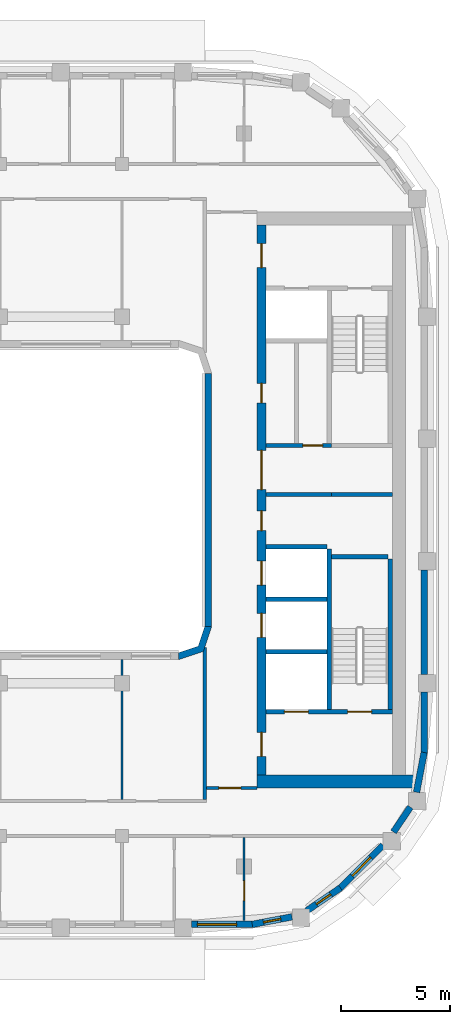
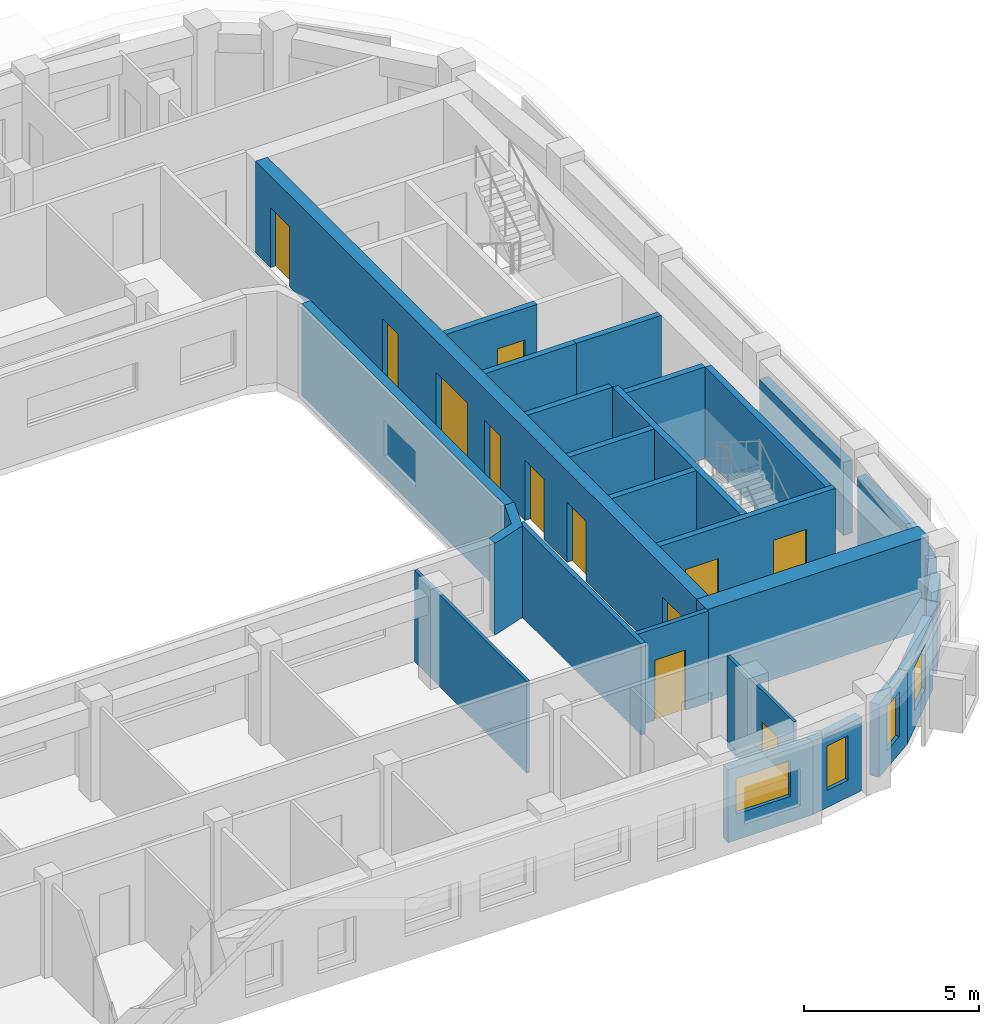
# One storey, part 5 of 15: 26 walls, 12 doors, 4 windows, 16 openings.
"""IFC4 building model written with IfcOpenShell, lengths in metres."""

from ifc_helpers import new_model, si_unit, direction, frame, frame_2d, origin, place, context, subcontext, project, spatial, polyline, rectangle, outline, extrude, material, layer, layer_set, type_object, element, fill, save


model = new_model("IFC4")

# Units and contexts
model_context = context("Model", 3, precision=1e-05, world=origin(), true_north=direction((0.0, 1.0)))
body_context = subcontext(model_context, "Body", "Model", "MODEL_VIEW")
ifc_project = project(units=[si_unit("LENGTHUNIT", "METRE"), si_unit("AREAUNIT", "SQUARE_METRE"), si_unit("VOLUMEUNIT", "CUBIC_METRE"), si_unit("PLANEANGLEUNIT", "RADIAN"), si_unit("MASSUNIT", "GRAM", prefix="KILO")], contexts=[model_context])

# Site, building, storey
site_placement = place(None, origin())
site = spatial("IfcSite", under=ifc_project, at=site_placement, CompositionType="ELEMENT")
building_placement = place(site_placement, origin())
building = spatial("IfcBuilding", under=site, at=building_placement, Name="Kiln Ring Residences", CompositionType="ELEMENT")
storey_placement = place(building_placement, frame((0.0, 0.0, 252.199951171875)))
storey = spatial("IfcBuildingStorey", under=building, at=storey_placement, Name="L65", CompositionType="ELEMENT", Elevation=252.199951171875)

# Walls
ifc_material_1 = material(Name="Gypsum board on steel studs", Category="steel")
ifc_layer_1 = layer(ifc_material_1, 0.199951171875)
ifc_layer_set_1 = layer_set([ifc_layer_1], Name="CORE-PARTITION-200")
wall_type_1 = type_object("IfcWallType", Name="CORE-PARTITION-200", PredefinedType="PARTITIONING", material=ifc_layer_set_1)
wall_1_placement = place(storey_placement, frame((20.800048828125, 0.25, 0.0), z_axis=(0.0, 0.0, 1.0), x_axis=(1.0, 0.0, 0.0)))
element("IfcWall", 1, at=wall_1_placement, inside=storey, type_object=wall_type_1, Name="Core partition east L65 1", PredefinedType="PARTITIONING", context=body_context, shape_type="SweptSolid", body=[
    extrude(rectangle(XDim=2.800048828125, YDim=0.199951171875, at=frame_2d((1.39990234375, 0.0))), origin(), (0.0, 0.0, 1.0), 3.199951171875),
])
ifc_material_2 = material(Name="Gypsum shaft wall system")
ifc_layer_2 = layer(ifc_material_2, 0.199951171875)
ifc_layer_set_2 = layer_set([ifc_layer_2], Name="CORE-SHAFT-WALL-200")
wall_type_2 = type_object("IfcWallType", Name="CORE-SHAFT-WALL-200", PredefinedType="PARTITIONING", material=ifc_layer_set_2)
for number, where, z_axis, x_axis, name in (
    (2, (17.800048828125, -6.949951171875, 0.0), (0.0, 0.0, 1.0), (1.0, 0.0, 0.0), "Core partition east L65 3"),
    (3, (17.800048828125, -4.550048828125, 0.0), (0.0, 0.0, 1.0), (1.0, 0.0, 0.0), "Core partition east L65 4"),
    (4, (17.800048828125, -2.14990234375, 0.0), (0.0, 0.0, 1.0), (1.0, 0.0, 0.0), "Core partition east L65 5"),
):
    element("IfcWall", number, at=place(storey_placement, frame(where, z_axis=z_axis, x_axis=x_axis)), inside=storey, type_object=wall_type_2, Name=name, PredefinedType="PARTITIONING", context=body_context, shape_type="SweptSolid", body=[
        extrude(rectangle(XDim=2.800048828125, YDim=0.199951171875, at=frame_2d((1.39990234375, 0.0))), origin(), (0.0, 0.0, 1.0), 3.199951171875),
    ])
wall_2_placement = place(storey_placement, frame((17.800048828125, 0.25, 0.0), z_axis=(0.0, 0.0, 1.0), x_axis=(1.0, 0.0, 0.0)))
element("IfcWall", 5, at=wall_2_placement, inside=storey, type_object=wall_type_2, Name="Core partition east L65 6", PredefinedType="PARTITIONING", context=body_context, shape_type="SweptSolid", body=[
    extrude(rectangle(XDim=3.0, YDim=0.199951171875, at=frame_2d((1.5, 0.0))), origin(), (0.0, 0.0, 1.0), 3.199951171875),
])

# Wall, opening, door
wall_3_placement = place(storey_placement, frame((17.800048828125, 2.5, 0.0), z_axis=(0.0, 0.0, 1.0), x_axis=(1.0, 0.0, 0.0)))
wall_3 = element("IfcWall", 6, at=wall_3_placement, inside=storey, type_object=wall_type_2, Name="Core partition east L65 7", PredefinedType="PARTITIONING", context=body_context, shape_type="SweptSolid", body=[
    extrude(rectangle(XDim=3.0, YDim=0.199951171875, at=frame_2d((1.5, 0.0))), origin(), (0.0, 0.0, 1.0), 3.199951171875),
])
opening_1_placement = place(wall_3_placement, frame((1.699951171875, 0.0, 0.0)))
opening_1 = element("IfcOpeningElement", 7, at=opening_1_placement, cuts=wall_3, Name="Opening L65-CE06", PredefinedType="OPENING", context=body_context, shape_type="SweptSolid", body=[
    extrude(rectangle(XDim=0.89990234375, YDim=2.10009765625, at=frame_2d((0.449951171875, 1.050048828125))), frame((0.0, 0.10986328125, 0.0), z_axis=(0.0, -1.0, 0.0), x_axis=(1.0, 0.0, 0.0)), (0.0, 0.0, 1.0), 0.219970703125),
])
ifc_material_3 = material(Name="Steel door leaf", Category="steel")
door_type_1 = type_object("IfcDoorType", Name="CORE-DOOR-ROOM", OperationType="SINGLE_SWING_LEFT", PredefinedType="DOOR", material=ifc_material_3)
door_1_placement = place(opening_1_placement, origin())
door_1 = element("IfcDoor", 8, at=door_1_placement, inside=storey, type_object=door_type_1, Name="Cleaner's store L65-CE06", OperationType="SINGLE_SWING_RIGHT", OverallHeight=2.10009765625, OverallWidth=0.89990234375, PredefinedType="DOOR", context=body_context, shape_type="SweptSolid", body=[
    extrude(rectangle(XDim=0.89990234375, YDim=2.10009765625, at=frame_2d((0.449951171875, 1.050048828125))), frame((0.0, 0.02490234375, 0.0), z_axis=(0.0, -1.0, 0.0), x_axis=(1.0, 0.0, 0.0)), (0.0, 0.0, 1.0), 0.050048828125),
])
fill(opening_1, door_1)

# Wall
ifc_material_4 = material(Name="Concrete C40/50", Category="concrete")
ifc_layer_3 = layer(ifc_material_4, 0.199951171875)
ifc_layer_set_3 = layer_set([ifc_layer_3], Name="CORE-WALL-RC200")
wall_type_3 = type_object("IfcWallType", Name="CORE-WALL-RC200", PredefinedType="SHEAR", material=ifc_layer_set_3)
wall_4_placement = place(storey_placement, frame((20.699951171875, -9.60009765625, 0.0), z_axis=(0.0, 0.0, 1.0), x_axis=(0.0, 1.0, 0.0)))
element("IfcWall", 9, at=wall_4_placement, inside=storey, type_object=wall_type_3, Name="Core wall east L65 2", PredefinedType="SHEAR", context=body_context, shape_type="SweptSolid", body=[
    extrude(rectangle(XDim=7.35009765625, YDim=0.199951171875, at=frame_2d((3.675048828125, 0.0))), origin(), (0.0, 0.0, 1.0), 3.199951171875),
])

# Wall, openings, doors
wall_5_placement = place(storey_placement, frame((17.800048828125, -9.699951171875, 0.0), z_axis=(0.0, 0.0, 1.0), x_axis=(1.0, 0.0, 0.0)))
wall_5 = element("IfcWall", 10, at=wall_5_placement, inside=storey, type_object=wall_type_3, Name="Core wall east L65 8", PredefinedType="SHEAR", context=body_context, shape_type="SweptSolid", body=[
    extrude(rectangle(XDim=5.800048828125, YDim=0.199951171875, at=frame_2d((2.89990234375, 0.0))), origin(), (0.0, 0.0, 1.0), 3.199951171875),
])
opening_2_placement = place(wall_5_placement, frame((0.85009765625, 0.0, 0.0)))
opening_2 = element("IfcOpeningElement", 11, at=opening_2_placement, cuts=wall_5, Name="Opening L65-CE01", PredefinedType="OPENING", context=body_context, shape_type="SweptSolid", body=[
    extrude(rectangle(XDim=1.10009765625, YDim=2.10009765625, at=frame_2d((0.550048828125, 1.050048828125))), frame((0.0, 0.10986328125, 0.0), z_axis=(0.0, -1.0, 0.0), x_axis=(1.0, 0.0, 0.0)), (0.0, 0.0, 1.0), 0.219970703125),
])
opening_3_placement = place(wall_5_placement, frame((3.75, 0.0, 0.0)))
opening_3 = element("IfcOpeningElement", 12, at=opening_3_placement, cuts=wall_5, Name="Opening L65-CE11", PredefinedType="OPENING", context=body_context, shape_type="SweptSolid", body=[
    extrude(rectangle(XDim=1.10009765625, YDim=2.10009765625, at=frame_2d((0.550048828125, 1.050048828125))), frame((0.0, 0.10986328125, 0.0), z_axis=(0.0, -1.0, 0.0), x_axis=(1.0, 0.0, 0.0)), (0.0, 0.0, 1.0), 0.219970703125),
])
ifc_material_5 = material(Name="Steel door leaf", Category="steel")
door_type_2 = type_object("IfcDoorType", Name="CORE-DOOR-LD", OperationType="DOUBLE_DOOR_SLIDING", PredefinedType="DOOR", material=ifc_material_5)
door_2_placement = place(opening_2_placement, origin())
door_2 = element("IfcDoor", 13, at=door_2_placement, inside=storey, type_object=door_type_2, Name="LD E-SV L65-CE01", OperationType="DOUBLE_DOOR_SLIDING", OverallHeight=2.10009765625, OverallWidth=1.10009765625, PredefinedType="DOOR", context=body_context, shape_type="SweptSolid", body=[
    extrude(rectangle(XDim=1.10009765625, YDim=2.10009765625, at=frame_2d((0.550048828125, 1.050048828125))), frame((0.0, 0.02490234375, 0.0), z_axis=(0.0, -1.0, 0.0), x_axis=(1.0, 0.0, 0.0)), (0.0, 0.0, 1.0), 0.050048828125),
])
fill(opening_2, door_2)
ifc_material_6 = material(Name="Steel door leaf", Category="steel")
door_type_3 = type_object("IfcDoorType", Name="CORE-DOOR-STAIR", OperationType="SINGLE_SWING_LEFT", PredefinedType="DOOR", material=ifc_material_6)
door_3_placement = place(opening_3_placement, origin())
door_3 = element("IfcDoor", 14, at=door_3_placement, inside=storey, type_object=door_type_3, Name="Stair E-STS L65-CE11", OperationType="SINGLE_SWING_LEFT", OverallHeight=2.10009765625, OverallWidth=1.10009765625, PredefinedType="DOOR", context=body_context, shape_type="SweptSolid", body=[
    extrude(rectangle(XDim=1.10009765625, YDim=2.10009765625, at=frame_2d((0.550048828125, 1.050048828125))), frame((0.0, 0.02490234375, 0.0), z_axis=(0.0, -1.0, 0.0), x_axis=(1.0, 0.0, 0.0)), (0.0, 0.0, 1.0), 0.050048828125),
])
fill(opening_3, door_3)

# Walls
wall_6_placement = place(storey_placement, frame((23.5, -9.60009765625, 0.0), z_axis=(0.0, 0.0, 1.0), x_axis=(0.0, 1.0, 0.0)))
element("IfcWall", 15, at=wall_6_placement, inside=storey, type_object=wall_type_3, Name="Core wall east L65 11", PredefinedType="SHEAR", context=body_context, shape_type="SweptSolid", body=[
    extrude(rectangle(XDim=6.900146484375, YDim=0.199951171875, at=frame_2d((3.4501953125, 0.0))), origin(), (0.0, 0.0, 1.0), 3.199951171875),
])
wall_7_placement = place(storey_placement, frame((20.800048828125, -2.60009765625, 0.0), z_axis=(0.0, 0.0, 1.0), x_axis=(1.0, 0.0, 0.0)))
element("IfcWall", 16, at=wall_7_placement, inside=storey, type_object=wall_type_3, Name="Core wall east L65 12", PredefinedType="SHEAR", context=body_context, shape_type="SweptSolid", body=[
    extrude(rectangle(XDim=2.599853515625, YDim=0.199951171875, at=frame_2d((1.2998046875, 0.0))), origin(), (0.0, 0.0, 1.0), 3.199951171875),
])

# Wall, openings, doors
ifc_material_7 = material(Name="Concrete C60/75", Category="concrete")
ifc_layer_4 = layer(ifc_material_7, 0.39990234375)
ifc_layer_set_4 = layer_set([ifc_layer_4], Name="CORE-WALL-RC400")
wall_type_4 = type_object("IfcWallType", Name="CORE-WALL-RC400", PredefinedType="SHEAR", material=ifc_layer_set_4)
wall_8_placement = place(storey_placement, frame((17.60009765625, -12.60009765625, 0.0), z_axis=(0.0, 0.0, 1.0), x_axis=(0.0, 1.0, 0.0)))
wall_8 = element("IfcWall", 17, at=wall_8_placement, inside=storey, type_object=wall_type_4, Name="Core wall east L65 6", PredefinedType="SHEAR", context=body_context, shape_type="SweptSolid", body=[
    extrude(rectangle(XDim=25.2001953125, YDim=0.39990234375, at=frame_2d((12.60009765625, 0.0))), origin(), (0.0, 0.0, 1.0), 3.199951171875),
])
opening_4_placement = place(wall_8_placement, frame((6.300048828125, 0.0, 0.0)))
opening_4 = element("IfcOpeningElement", 18, at=opening_4_placement, cuts=wall_8, Name="Opening L65-CE02", PredefinedType="OPENING", context=body_context, shape_type="SweptSolid", body=[
    extrude(rectangle(XDim=1.10009765625, YDim=2.10009765625, at=frame_2d((0.550048828125, 1.050048828125))), frame((0.0, 0.2099609375, 0.0), z_axis=(0.0, -1.0, 0.0), x_axis=(1.0, 0.0, 0.0)), (0.0, 0.0, 1.0), 0.419921875),
])
opening_5_placement = place(wall_8_placement, frame((8.699951171875, 0.0, 0.0)))
opening_5 = element("IfcOpeningElement", 19, at=opening_5_placement, cuts=wall_8, Name="Opening L65-CE03", PredefinedType="OPENING", context=body_context, shape_type="SweptSolid", body=[
    extrude(rectangle(XDim=1.10009765625, YDim=2.10009765625, at=frame_2d((0.550048828125, 1.050048828125))), frame((0.0, 0.2099609375, 0.0), z_axis=(0.0, -1.0, 0.0), x_axis=(1.0, 0.0, 0.0)), (0.0, 0.0, 1.0), 0.419921875),
])
opening_6_placement = place(wall_8_placement, frame((11.199951171875, 0.0, 0.0)))
opening_6 = element("IfcOpeningElement", 20, at=opening_6_placement, cuts=wall_8, Name="Opening L65-CE04", PredefinedType="OPENING", context=body_context, shape_type="SweptSolid", body=[
    extrude(rectangle(XDim=0.89990234375, YDim=2.10009765625, at=frame_2d((0.449951171875, 1.050048828125))), frame((0.0, 0.2099609375, 0.0), z_axis=(0.0, -1.0, 0.0), x_axis=(1.0, 0.0, 0.0)), (0.0, 0.0, 1.0), 0.419921875),
])
opening_7_placement = place(wall_8_placement, frame((17.050048828125, 0.0, 0.0)))
opening_7 = element("IfcOpeningElement", 21, at=opening_7_placement, cuts=wall_8, Name="Opening L65-CE05", PredefinedType="OPENING", context=body_context, shape_type="SweptSolid", body=[
    extrude(rectangle(XDim=0.89990234375, YDim=2.10009765625, at=frame_2d((0.449951171875, 1.050048828125))), frame((0.0, 0.2099609375, 0.0), z_axis=(0.0, -1.0, 0.0), x_axis=(1.0, 0.0, 0.0)), (0.0, 0.0, 1.0), 0.419921875),
])
opening_8_placement = place(wall_8_placement, frame((23.25, 0.0, 0.0)))
opening_8 = element("IfcOpeningElement", 22, at=opening_8_placement, cuts=wall_8, Name="Opening L65-CE08", PredefinedType="OPENING", context=body_context, shape_type="SweptSolid", body=[
    extrude(rectangle(XDim=1.10009765625, YDim=2.10009765625, at=frame_2d((0.550048828125, 1.050048828125))), frame((0.0, 0.2099609375, 0.0), z_axis=(0.0, -1.0, 0.0), x_axis=(1.0, 0.0, 0.0)), (0.0, 0.0, 1.0), 0.419921875),
])
opening_9_placement = place(wall_8_placement, frame((0.85009765625, 0.0, 0.0)))
opening_9 = element("IfcOpeningElement", 23, at=opening_9_placement, cuts=wall_8, Name="Opening L65-CE09", PredefinedType="OPENING", context=body_context, shape_type="SweptSolid", body=[
    extrude(rectangle(XDim=1.10009765625, YDim=2.10009765625, at=frame_2d((0.550048828125, 1.050048828125))), frame((0.0, 0.2099609375, 0.0), z_axis=(0.0, -1.0, 0.0), x_axis=(1.0, 0.0, 0.0)), (0.0, 0.0, 1.0), 0.419921875),
])
opening_10_placement = place(wall_8_placement, frame((13.074951171875, 0.0, 0.0)))
opening_10 = element("IfcOpeningElement", 24, at=opening_10_placement, cuts=wall_8, Name="Opening L65-CE12", PredefinedType="OPENING", context=body_context, shape_type="SweptSolid", body=[
    extrude(rectangle(XDim=1.800048828125, YDim=2.10009765625, at=frame_2d((0.89990234375, 1.050048828125))), frame((0.0, 0.2099609375, 0.0), z_axis=(0.0, -1.0, 0.0), x_axis=(1.0, 0.0, 0.0)), (0.0, 0.0, 1.0), 0.419921875),
])
door_4_placement = place(opening_4_placement, origin())
door_4 = element("IfcDoor", 25, at=door_4_placement, inside=storey, type_object=door_type_2, Name="LD E-H1 L65-CE02", OperationType="DOUBLE_DOOR_SLIDING", OverallHeight=2.10009765625, OverallWidth=1.10009765625, PredefinedType="DOOR", context=body_context, shape_type="SweptSolid", body=[
    extrude(rectangle(XDim=1.10009765625, YDim=2.10009765625, at=frame_2d((0.550048828125, 1.050048828125))), frame((0.0, 0.02490234375, 0.0), z_axis=(0.0, -1.0, 0.0), x_axis=(1.0, 0.0, 0.0)), (0.0, 0.0, 1.0), 0.050048828125),
])
fill(opening_4, door_4)
door_5_placement = place(opening_5_placement, origin())
door_5 = element("IfcDoor", 26, at=door_5_placement, inside=storey, type_object=door_type_2, Name="LD E-H2 L65-CE03", OperationType="DOUBLE_DOOR_SLIDING", OverallHeight=2.10009765625, OverallWidth=1.10009765625, PredefinedType="DOOR", context=body_context, shape_type="SweptSolid", body=[
    extrude(rectangle(XDim=1.10009765625, YDim=2.10009765625, at=frame_2d((0.550048828125, 1.050048828125))), frame((0.0, 0.02490234375, 0.0), z_axis=(0.0, -1.0, 0.0), x_axis=(1.0, 0.0, 0.0)), (0.0, 0.0, 1.0), 0.050048828125),
])
fill(opening_5, door_5)
ifc_material_8 = material(Name="Steel door leaf", Category="steel")
door_type_4 = type_object("IfcDoorType", Name="CORE-DOOR-LOBBY", OperationType="SINGLE_SWING_LEFT", PredefinedType="DOOR", material=ifc_material_8)
door_6_placement = place(opening_8_placement, origin())
door_6 = element("IfcDoor", 27, at=door_6_placement, inside=storey, type_object=door_type_4, Name="FFL L65-CE08", OperationType="SINGLE_SWING_RIGHT", OverallHeight=2.10009765625, OverallWidth=1.10009765625, PredefinedType="DOOR", context=body_context, shape_type="SweptSolid", body=[
    extrude(rectangle(XDim=1.10009765625, YDim=2.10009765625, at=frame_2d((0.550048828125, 1.050048828125))), frame((0.0, 0.02490234375, 0.0), z_axis=(0.0, -1.0, 0.0), x_axis=(1.0, 0.0, 0.0)), (0.0, 0.0, 1.0), 0.050048828125),
])
fill(opening_8, door_6)
door_7_placement = place(opening_9_placement, origin())
door_7 = element("IfcDoor", 28, at=door_7_placement, inside=storey, type_object=door_type_4, Name="SVL L65-CE09", OperationType="SINGLE_SWING_LEFT", OverallHeight=2.10009765625, OverallWidth=1.10009765625, PredefinedType="DOOR", context=body_context, shape_type="SweptSolid", body=[
    extrude(rectangle(XDim=1.10009765625, YDim=2.10009765625, at=frame_2d((0.550048828125, 1.050048828125))), frame((0.0, 0.02490234375, 0.0), z_axis=(0.0, -1.0, 0.0), x_axis=(1.0, 0.0, 0.0)), (0.0, 0.0, 1.0), 0.050048828125),
])
fill(opening_9, door_7)
ifc_material_9 = material(Name="Steel door leaf", Category="steel")
door_type_5 = type_object("IfcDoorType", Name="CORE-DOOR-PASS", OperationType="DOUBLE_DOOR_SINGLE_SWING", PredefinedType="DOOR", material=ifc_material_9)
door_8_placement = place(opening_10_placement, origin())
door_8 = element("IfcDoor", 29, at=door_8_placement, inside=storey, type_object=door_type_5, Name="Core passage L65-CE12", OperationType="DOUBLE_DOOR_SINGLE_SWING", OverallHeight=2.10009765625, OverallWidth=1.800048828125, PredefinedType="DOOR", context=body_context, shape_type="SweptSolid", body=[
    extrude(rectangle(XDim=1.800048828125, YDim=2.10009765625, at=frame_2d((0.89990234375, 1.050048828125))), frame((0.0, 0.02490234375, 0.0), z_axis=(0.0, -1.0, 0.0), x_axis=(1.0, 0.0, 0.0)), (0.0, 0.0, 1.0), 0.050048828125),
])
fill(opening_10, door_8)
door_9_placement = place(opening_6_placement, origin())
door_9 = element("IfcDoor", 30, at=door_9_placement, inside=storey, type_object=door_type_1, Name="Parcel room L65-CE04", OperationType="SINGLE_SWING_LEFT", OverallHeight=2.10009765625, OverallWidth=0.89990234375, PredefinedType="DOOR", context=body_context, shape_type="SweptSolid", body=[
    extrude(rectangle(XDim=0.89990234375, YDim=2.10009765625, at=frame_2d((0.449951171875, 1.050048828125))), frame((0.0, 0.02490234375, 0.0), z_axis=(0.0, -1.0, 0.0), x_axis=(1.0, 0.0, 0.0)), (0.0, 0.0, 1.0), 0.050048828125),
])
fill(opening_6, door_9)
door_10_placement = place(opening_7_placement, origin())
door_10 = element("IfcDoor", 31, at=door_10_placement, inside=storey, type_object=door_type_1, Name="Storage room L65-CE05", OperationType="SINGLE_SWING_RIGHT", OverallHeight=2.10009765625, OverallWidth=0.89990234375, PredefinedType="DOOR", context=body_context, shape_type="SweptSolid", body=[
    extrude(rectangle(XDim=0.89990234375, YDim=2.10009765625, at=frame_2d((0.449951171875, 1.050048828125))), frame((0.0, 0.02490234375, 0.0), z_axis=(0.0, -1.0, 0.0), x_axis=(1.0, 0.0, 0.0)), (0.0, 0.0, 1.0), 0.050048828125),
])
fill(opening_7, door_10)

# Wall
ifc_material_10 = material(Name="Concrete C60/75", Category="concrete")
ifc_layer_5 = layer(ifc_material_10, 0.60009765625)
ifc_layer_set_5 = layer_set([ifc_layer_5], Name="CORE-WALL-RC600")
wall_type_5 = type_object("IfcWallType", Name="CORE-WALL-RC600", PredefinedType="SHEAR", material=ifc_layer_set_5)
wall_9_placement = place(storey_placement, frame((17.39990234375, -12.89990234375, 0.0), z_axis=(0.0, 0.0, 1.0), x_axis=(1.0, 0.0, 0.0)))
element("IfcWall", 32, at=wall_9_placement, inside=storey, type_object=wall_type_5, Name="Core wall east L65 5", PredefinedType="SHEAR", context=body_context, shape_type="SweptSolid", body=[
    extrude(rectangle(XDim=7.320068359375, YDim=0.60009765625, at=frame_2d((3.66015625, 0.0))), origin(), (0.0, 0.0, 1.0), 3.199951171875),
])

# Wall, opening, window
ifc_material_11 = material(Name="Brick masonry, dark clay brick", Category="masonry")
ifc_layer_6 = layer(ifc_material_11, 0.300048828125)
ifc_layer_set_6 = layer_set([ifc_layer_6], Name="EW-300 BRICK WALL")
wall_type_6 = type_object("IfcWallType", Name="EW-300 BRICK WALL", PredefinedType="SOLIDWALL", material=ifc_layer_set_6)
wall_10_placement = place(storey_placement, frame((14.39990234375, -19.449951171875, 0.0), z_axis=(0.0, 0.0, 1.0), x_axis=(1.0, 0.0, 0.0)))
wall_10 = element("IfcWall", 33, at=wall_10_placement, inside=storey, type_object=wall_type_6, Name="Facade wall L65 10", PredefinedType="SOLIDWALL", context=body_context, shape_type="SweptSolid", body=[
    extrude(rectangle(XDim=2.800048828125, YDim=0.300048828125, at=frame_2d((1.39990234375, 0.0))), origin(), (0.0, 0.0, 1.0), 2.550048828125),
])
opening_11_placement = place(wall_10_placement, frame((0.262451171875, 0.0, 0.89990234375)))
opening_11 = element("IfcOpeningElement", 34, at=opening_11_placement, cuts=wall_10, Name="Opening W2", PredefinedType="OPENING", context=body_context, shape_type="SweptSolid", body=[
    extrude(rectangle(XDim=1.800048828125, YDim=1.25, at=frame_2d((0.89990234375, 0.625))), frame((0.0, 0.159912109375, 0.0), z_axis=(0.0, -1.0, 0.0), x_axis=(1.0, 0.0, 0.0)), (0.0, 0.0, 1.0), 0.320068359375),
])
ifc_material_12 = material(Name="Aluminium frame with double glazing", Category="aluminium")
window_type_1 = type_object("IfcWindowType", Name="WINDOW 1800 x 1250", PartitioningType="SINGLE_PANEL", PredefinedType="WINDOW", material=ifc_material_12)
window_1_placement = place(opening_11_placement, origin())
window_1 = element("IfcWindow", 35, at=window_1_placement, inside=storey, type_object=window_type_1, Name="Window L65 14", OverallHeight=1.25, OverallWidth=1.800048828125, PartitioningType="SINGLE_PANEL", PredefinedType="WINDOW", context=body_context, shape_type="SweptSolid", body=[
    extrude(rectangle(XDim=1.800048828125, YDim=1.25, at=frame_2d((0.89990234375, 0.625))), frame((0.0, 0.030029296875, 0.0), z_axis=(0.0, -1.0, 0.0), x_axis=(1.0, 0.0, 0.0)), (0.0, 0.0, 1.0), 0.06005859375),
])
fill(opening_11, window_1)

wall_11_placement = place(storey_placement, frame((17.171875, -19.45263671875, 0.0), z_axis=(0.0, 0.0, 1.0), x_axis=(0.982301706131, 0.187305520826, 0.0)))
wall_11 = element("IfcWall", 36, at=wall_11_placement, inside=storey, type_object=wall_type_6, Name="Facade wall L65 11", PredefinedType="SOLIDWALL", context=body_context, shape_type="SweptSolid", body=[
    extrude(rectangle(XDim=1.856201171875, YDim=0.300048828125, at=frame_2d((0.92822265625, 0.0))), origin(), (0.0, 0.0, 1.0), 2.550048828125),
])
opening_12_placement = place(wall_11_placement, frame((0.528076171875, 0.0, 0.60009765625)))
opening_12 = element("IfcOpeningElement", 37, at=opening_12_placement, cuts=wall_11, Name="Opening W5", PredefinedType="OPENING", context=body_context, shape_type="SweptSolid", body=[
    extrude(rectangle(XDim=0.800048828125, YDim=1.550048828125, at=frame_2d((0.39990234375, 0.77490234375))), frame((0.0, 0.159912109375, 0.0), z_axis=(0.0, -1.0, 0.0), x_axis=(1.0, 0.0, 0.0)), (0.0, 0.0, 1.0), 0.320068359375),
])
ifc_material_13 = material(Name="Aluminium frame with double glazing", Category="aluminium")
window_type_2 = type_object("IfcWindowType", Name="WINDOW 800 x 1550", PartitioningType="SINGLE_PANEL", PredefinedType="WINDOW", material=ifc_material_13)
window_2_placement = place(opening_12_placement, origin())
window_2 = element("IfcWindow", 38, at=window_2_placement, inside=storey, type_object=window_type_2, Name="Window L65 15", OverallHeight=1.550048828125, OverallWidth=0.800048828125, PartitioningType="SINGLE_PANEL", PredefinedType="WINDOW", context=body_context, shape_type="SweptSolid", body=[
    extrude(rectangle(XDim=0.800048828125, YDim=1.550048828125, at=frame_2d((0.39990234375, 0.77490234375))), frame((0.0, 0.030029296875, 0.0), z_axis=(0.0, -1.0, 0.0), x_axis=(1.0, 0.0, 0.0)), (0.0, 0.0, 1.0), 0.06005859375),
])
fill(opening_12, window_2)

wall_12_placement = place(storey_placement, frame((19.677734375, -18.822265625, 0.0), z_axis=(0.0, 0.0, 1.0), x_axis=(0.826997446962, 0.562205676526, 0.0)))
wall_12 = element("IfcWall", 39, at=wall_12_placement, inside=storey, type_object=wall_type_6, Name="Facade wall L65 12", PredefinedType="SOLIDWALL", context=body_context, shape_type="SweptSolid", body=[
    extrude(rectangle(XDim=1.85595703125, YDim=0.300048828125, at=frame_2d((0.927978515625, 0.0))), origin(), (0.0, 0.0, 1.0), 2.550048828125),
])
opening_13_placement = place(wall_12_placement, frame((0.528076171875, 0.0, 0.60009765625)))
opening_13 = element("IfcOpeningElement", 40, at=opening_13_placement, cuts=wall_12, Name="Opening W5", PredefinedType="OPENING", context=body_context, shape_type="SweptSolid", body=[
    extrude(rectangle(XDim=0.800048828125, YDim=1.550048828125, at=frame_2d((0.39990234375, 0.77490234375))), frame((0.0, 0.159912109375, 0.0), z_axis=(0.0, -1.0, 0.0), x_axis=(1.0, 0.0, 0.0)), (0.0, 0.0, 1.0), 0.320068359375),
])
window_3_placement = place(opening_13_placement, origin())
window_3 = element("IfcWindow", 41, at=window_3_placement, inside=storey, type_object=window_type_2, Name="Window L65 16", OverallHeight=1.550048828125, OverallWidth=0.800048828125, PartitioningType="SINGLE_PANEL", PredefinedType="WINDOW", context=body_context, shape_type="SweptSolid", body=[
    extrude(rectangle(XDim=0.800048828125, YDim=1.550048828125, at=frame_2d((0.39990234375, 0.77490234375))), frame((0.0, 0.030029296875, 0.0), z_axis=(0.0, -1.0, 0.0), x_axis=(1.0, 0.0, 0.0)), (0.0, 0.0, 1.0), 0.06005859375),
])
fill(opening_13, window_3)

wall_13_placement = place(storey_placement, frame((21.19091796875, -17.796875, 0.0), z_axis=(0.0, 0.0, 1.0), x_axis=(0.707106781187, 0.707106781187, 0.0)))
wall_13 = element("IfcWall", 42, at=wall_13_placement, inside=storey, type_object=wall_type_6, Name="Facade wall L65 13", PredefinedType="SOLIDWALL", context=body_context, shape_type="SweptSolid", body=[
    extrude(rectangle(XDim=2.800048828125, YDim=0.300048828125, at=frame_2d((1.39990234375, 0.0))), origin(), (0.0, 0.0, 1.0), 2.550048828125),
])
opening_14_placement = place(wall_13_placement, frame((0.800048828125, 0.0, 0.60009765625)))
opening_14 = element("IfcOpeningElement", 43, at=opening_14_placement, cuts=wall_13, Name="Opening W1", PredefinedType="OPENING", context=body_context, shape_type="SweptSolid", body=[
    extrude(rectangle(XDim=1.199951171875, YDim=1.550048828125, at=frame_2d((0.60009765625, 0.77490234375))), frame((0.0, 0.159912109375, 0.0), z_axis=(0.0, -1.0, 0.0), x_axis=(1.0, 0.0, 0.0)), (0.0, 0.0, 1.0), 0.320068359375),
])
ifc_material_14 = material(Name="Aluminium frame with double glazing", Category="aluminium")
window_type_3 = type_object("IfcWindowType", Name="WINDOW 1200 x 1550", PartitioningType="SINGLE_PANEL", PredefinedType="WINDOW", material=ifc_material_14)
window_4_placement = place(opening_14_placement, origin())
window_4 = element("IfcWindow", 44, at=window_4_placement, inside=storey, type_object=window_type_3, Name="Window L65 17", OverallHeight=1.550048828125, OverallWidth=1.199951171875, PartitioningType="SINGLE_PANEL", PredefinedType="WINDOW", context=body_context, shape_type="SweptSolid", body=[
    extrude(rectangle(XDim=1.199951171875, YDim=1.550048828125, at=frame_2d((0.60009765625, 0.77490234375))), frame((0.0, 0.030029296875, 0.0), z_axis=(0.0, -1.0, 0.0), x_axis=(1.0, 0.0, 0.0)), (0.0, 0.0, 1.0), 0.06005859375),
])
fill(opening_14, window_4)

# Walls
wall_14_placement = place(storey_placement, frame((23.648193359375, -15.216552734375, 0.0), z_axis=(0.0, 0.0, 1.0), x_axis=(0.562043265151, 0.827107833416, 0.0)))
element("IfcWall", 45, at=wall_14_placement, inside=storey, type_object=wall_type_6, Name="Facade wall L65 14", PredefinedType="SOLIDWALL", context=body_context, shape_type="SweptSolid", body=[
    extrude(rectangle(XDim=1.376953125, YDim=0.300048828125, at=frame_2d((0.6884765625, 0.0))), origin(), (0.0, 0.0, 1.0), 2.550048828125),
])
wall_15_placement = place(storey_placement, frame((24.704833984375, -13.395263671875, 0.0), z_axis=(0.0, 0.0, 1.0), x_axis=(0.187408222942, 0.982282117303, 0.0)))
element("IfcWall", 46, at=wall_15_placement, inside=storey, type_object=wall_type_6, Name="Facade wall L65 15", PredefinedType="SOLIDWALL", context=body_context, shape_type="SweptSolid", body=[
    extrude(rectangle(XDim=1.8564453125, YDim=0.300048828125, at=frame_2d((0.92822265625, 0.0))), origin(), (0.0, 0.0, 1.0), 2.550048828125),
])
wall_16_placement = place(storey_placement, frame((25.050048828125, -11.60009765625, 0.0), z_axis=(0.0, 0.0, 1.0), x_axis=(0.0, 1.0, 0.0)))
element("IfcWall", 47, at=wall_16_placement, inside=storey, type_object=wall_type_6, Name="Facade wall L65 16", PredefinedType="SOLIDWALL", context=body_context, shape_type="SweptSolid", body=[
    extrude(rectangle(XDim=2.800048828125, YDim=0.300048828125, at=frame_2d((1.39990234375, 0.0))), origin(), (0.0, 0.0, 1.0), 2.550048828125),
])
wall_17_placement = place(storey_placement, frame((25.050048828125, -8.0, 0.0), z_axis=(0.0, 0.0, 1.0), x_axis=(0.0, 1.0, 0.0)))
element("IfcWall", 48, at=wall_17_placement, inside=storey, type_object=wall_type_6, Name="Facade wall L65 17", PredefinedType="SOLIDWALL", context=body_context, shape_type="SweptSolid", body=[
    extrude(rectangle(XDim=4.800048828125, YDim=0.300048828125, at=frame_2d((2.39990234375, 0.0))), origin(), (0.0, 0.0, 1.0), 2.550048828125),
])
wall_18_placement = place(storey_placement, frame((15.14990234375, 5.800048828125, 0.0), z_axis=(0.0, 0.0, 1.0), x_axis=(0.0, -1.0, 0.0)))
element("IfcWall", 49, at=wall_18_placement, inside=storey, type_object=wall_type_6, Name="Facade wall L65 47", PredefinedType="SOLIDWALL", context=body_context, shape_type="SweptSolid", body=[
    extrude(rectangle(XDim=11.60009765625, YDim=0.300048828125, at=frame_2d((5.800048828125, 0.0))), origin(), (0.0, 0.0, 1.0), 3.199951171875),
])
wall_19_placement = place(storey_placement, origin())
element("IfcWall", 50, at=wall_19_placement, inside=storey, type_object=wall_type_6, Name="Corner wall L65 3", PredefinedType="SOLIDWALL", context=body_context, shape_type="SweptSolid", body=[
    extrude(outline(polyline([(14.937255859375, -6.937255859375), (15.300048828125, -5.8486328125), (15.300048828125, -5.800048828125), (15.0, -5.800048828125), (14.699951171875, -6.699951171875), (13.800048828125, -7.0), (13.800048828125, -7.300048828125), (13.8486328125, -7.300048828125), (14.937255859375, -6.937255859375)])), origin(), (0.0, 0.0, 1.0), 3.199951171875),
])
ifc_material_15 = material(Name="Gypsum board on steel studs", Category="steel")
ifc_layer_7 = layer(ifc_material_15, 0.10009765625)
ifc_layer_set_7 = layer_set([ifc_layer_7], Name="PARTITION-100")
wall_type_7 = type_object("IfcWallType", Name="PARTITION-100", PredefinedType="PARTITIONING", material=ifc_layer_set_7)
wall_20_placement = place(storey_placement, frame((11.199951171875, -13.72509765625, 0.0), z_axis=(0.0, 0.0, 1.0), x_axis=(0.0, 1.0, 0.0)))
element("IfcWall", 51, at=wall_20_placement, inside=storey, type_object=wall_type_7, Name="Partition 034", PredefinedType="PARTITIONING", context=body_context, shape_type="SweptSolid", body=[
    extrude(rectangle(XDim=6.405029296875, YDim=0.10009765625, at=frame_2d((3.20263671875, 0.0))), origin(), (0.0, 0.0, 1.0), 3.199951171875),
])

# Wall, opening, door
wall_21_placement = place(storey_placement, frame((16.800048828125, -19.280029296875, 0.0), z_axis=(0.0, 0.0, 1.0), x_axis=(0.0, 1.0, 0.0)))
wall_21 = element("IfcWall", 52, at=wall_21_placement, inside=storey, type_object=wall_type_7, Name="Partition 042", PredefinedType="PARTITIONING", context=body_context, shape_type="SweptSolid", body=[
    extrude(rectangle(XDim=3.804931640625, YDim=0.10009765625, at=frame_2d((1.90234375, 0.0))), origin(), (0.0, 0.0, 1.0), 3.199951171875),
])
opening_15_placement = place(wall_21_placement, frame((0.919921875, 0.0, 0.0)))
opening_15 = element("IfcOpeningElement", 53, at=opening_15_placement, cuts=wall_21, Name="Opening L65-D040", PredefinedType="OPENING", context=body_context, shape_type="SweptSolid", body=[
    extrude(rectangle(XDim=0.89990234375, YDim=2.10009765625, at=frame_2d((0.449951171875, 1.050048828125))), frame((0.0, 0.06005859375, 0.0), z_axis=(0.0, -1.0, 0.0), x_axis=(1.0, 0.0, 0.0)), (0.0, 0.0, 1.0), 0.1201171875),
])
ifc_material_16 = material(Name="Timber door leaf", Category="wood")
door_type_6 = type_object("IfcDoorType", Name="FLAT-DOOR-900-PL", OperationType="SINGLE_SWING_LEFT", PredefinedType="DOOR", material=ifc_material_16)
door_11_placement = place(opening_15_placement, origin())
door_11 = element("IfcDoor", 54, at=door_11_placement, inside=storey, type_object=door_type_6, Name="Door L65-D040", OperationType="SINGLE_SWING_LEFT", OverallHeight=2.10009765625, OverallWidth=0.89990234375, PredefinedType="DOOR", context=body_context, shape_type="SweptSolid", body=[
    extrude(rectangle(XDim=0.89990234375, YDim=2.10009765625, at=frame_2d((0.449951171875, 1.050048828125))), frame((0.0, 0.02490234375, 0.0), z_axis=(0.0, -1.0, 0.0), x_axis=(1.0, 0.0, 0.0)), (0.0, 0.0, 1.0), 0.050048828125),
])
fill(opening_15, door_11)

ifc_material_17 = material(Name="Brick masonry partition", Category="masonry")
ifc_layer_8 = layer(ifc_material_17, 0.14990234375)
ifc_layer_set_8 = layer_set([ifc_layer_8], Name="PARTITION-150-ei60")
wall_type_8 = type_object("IfcWallType", Name="PARTITION-150-ei60", PredefinedType="PARTITIONING", material=ifc_layer_set_8)
wall_22_placement = place(storey_placement, frame((15.074951171875, -13.199951171875, 0.0), z_axis=(0.0, 0.0, 1.0), x_axis=(1.0, 0.0, 0.0)))
wall_22 = element("IfcWall", 55, at=wall_22_placement, inside=storey, type_object=wall_type_8, Name="Partition 003", PredefinedType="PARTITIONING", context=body_context, shape_type="SweptSolid", body=[
    extrude(rectangle(XDim=2.324951171875, YDim=0.14990234375, at=frame_2d((1.16259765625, 0.0))), origin(), (0.0, 0.0, 1.0), 3.199951171875),
])
opening_16_placement = place(wall_22_placement, frame((0.574951171875, 0.0, 0.0)))
opening_16 = element("IfcOpeningElement", 56, at=opening_16_placement, cuts=wall_22, Name="Opening L65-D004", PredefinedType="OPENING", context=body_context, shape_type="SweptSolid", body=[
    extrude(rectangle(XDim=1.0, YDim=2.10009765625, at=frame_2d((0.5, 1.050048828125))), frame((0.0, 0.0849609375, 0.0), z_axis=(0.0, -1.0, 0.0), x_axis=(1.0, 0.0, 0.0)), (0.0, 0.0, 1.0), 0.169921875),
])
ifc_material_18 = material(Name="Steel faced fire door leaf", Category="steel")
door_type_7 = type_object("IfcDoorType", Name="FLAT-DOOR-1000-FR", OperationType="SINGLE_SWING_LEFT", PredefinedType="DOOR", material=ifc_material_18)
door_12_placement = place(opening_16_placement, origin())
door_12 = element("IfcDoor", 57, at=door_12_placement, inside=storey, type_object=door_type_7, Name="Door L65-D004", OperationType="SINGLE_SWING_LEFT", OverallHeight=2.10009765625, OverallWidth=1.0, PredefinedType="DOOR", context=body_context, shape_type="SweptSolid", body=[
    extrude(rectangle(XDim=1.0, YDim=2.10009765625, at=frame_2d((0.5, 1.050048828125))), frame((0.0, 0.02490234375, 0.0), z_axis=(0.0, -1.0, 0.0), x_axis=(1.0, 0.0, 0.0)), (0.0, 0.0, 1.0), 0.050048828125),
])
fill(opening_16, door_12)

# Wall
wall_23_placement = place(storey_placement, frame((15.0, -13.72509765625, 0.0), z_axis=(0.0, 0.0, 1.0), x_axis=(0.0, 1.0, 0.0)))
element("IfcWall", 58, at=wall_23_placement, inside=storey, type_object=wall_type_8, Name="Partition 040", PredefinedType="PARTITIONING", context=body_context, shape_type="SweptSolid", body=[
    extrude(rectangle(XDim=6.956298828125, YDim=0.14990234375, at=frame_2d((3.47802734375, 0.0))), origin(), (0.0, 0.0, 1.0), 3.199951171875),
])

save(model, "model.ifc")
